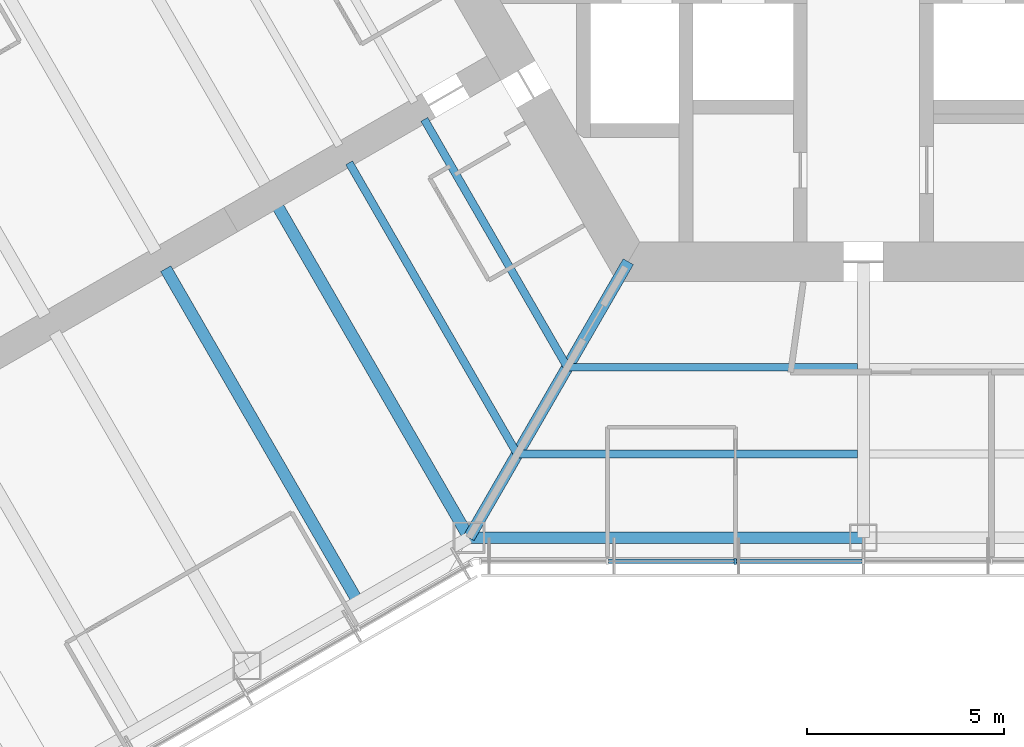
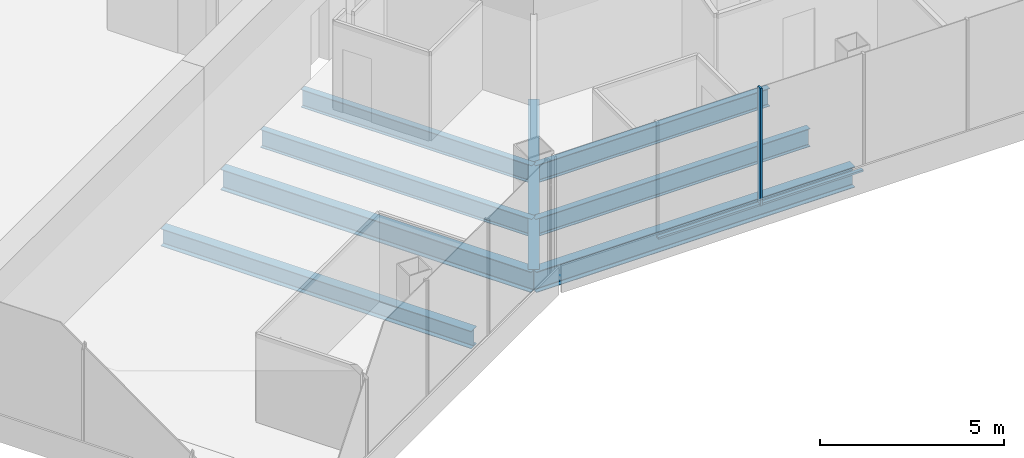
# One storey, part 3 of 18: 8 beams, 3 members, 1 element without a shape of its own.
"""IFC4 building model written with IfcOpenShell, lengths in metres."""

from ifc_helpers import new_model, si_unit, direction, frame, origin, origin_2d, place, context, subcontext, project, spatial, rectangle, i_section, extrude, material, material_profile, profile_set, type_object, element, aggregate, save


model = new_model("IFC4")

# Units and contexts
model_context = context("Model", 3, precision=1e-05, world=origin(), true_north=direction((0.0, 1.0)))
body_context = subcontext(model_context, "Body", "Model", "MODEL_VIEW")
ifc_project = project(units=[si_unit("LENGTHUNIT", "METRE"), si_unit("AREAUNIT", "SQUARE_METRE"), si_unit("VOLUMEUNIT", "CUBIC_METRE"), si_unit("PLANEANGLEUNIT", "RADIAN"), si_unit("MASSUNIT", "GRAM", prefix="KILO")], contexts=[model_context])

# Site, building, storey
site_placement = place(None, origin())
site = spatial("IfcSite", under=ifc_project, at=site_placement, CompositionType="ELEMENT")
building_placement = place(site_placement, origin())
building = spatial("IfcBuilding", under=site, at=building_placement, Name="Kasaneha Research Tower", CompositionType="ELEMENT")
storey_placement = place(building_placement, frame((0.0, 0.0, 176.0)))
storey = spatial("IfcBuildingStorey", under=building, at=storey_placement, Name="L44", CompositionType="ELEMENT", Elevation=176.0)

# Beams
ifc_material_1 = material(Name="Steel SN490B", Category="steel")
ifc_material_profile_1 = material_profile(ifc_material_1, i_section(OverallWidth=0.199951171875, OverallDepth=0.60009765625, WebThickness=0.010986328125, FlangeThickness=0.01708984375, FilletRadius=0.012939453125, at=origin_2d()), Name="H-600x200x11x17")
ifc_profile_set_1 = profile_set([ifc_material_profile_1], Name="Steel SN490B")
beam_type_1 = type_object("IfcBeamType", Name="B1-3 secondary beam H-600x200x11x17", PredefinedType="JOIST", material=ifc_profile_set_1)
beam_1_placement = place(storey_placement, frame((-7.505615234375, -13.0, -0.449951171875), z_axis=(-0.499993340521, 0.866029248602, 0.0), x_axis=(-0.866029248602, -0.499993340521, 0.0)))
element("IfcBeam", 1, at=beam_1_placement, inside=storey, type_object=beam_type_1, Name="Secondary beam RS210R1 L44", PredefinedType="JOIST", context=body_context, shape_type="SweptSolid", body=[
    extrude(i_section(OverallWidth=0.199951171875, OverallDepth=0.60009765625, WebThickness=0.010986328125, FlangeThickness=0.01708984375, FilletRadius=0.012939453125, at=origin_2d()), origin(), (0.0, 0.0, 1.0), 7.25537109375),
])
beam_2_placement = place(storey_placement, frame((-8.775634765625, -15.199951171875, -0.449951171875), z_axis=(-0.500004205306, 0.866022975836, 0.0), x_axis=(-0.866022975836, -0.500004205306, 0.0)))
element("IfcBeam", 2, at=beam_2_placement, inside=storey, type_object=beam_type_1, Name="Secondary beam RS210R2 L44", PredefinedType="JOIST", context=body_context, shape_type="SweptSolid", body=[
    extrude(i_section(OverallWidth=0.199951171875, OverallDepth=0.60009765625, WebThickness=0.010986328125, FlangeThickness=0.01708984375, FilletRadius=0.012939453125, at=origin_2d()), origin(), (0.0, 0.0, 1.0), 8.52587890625),
])
beam_3_placement = place(storey_placement, frame((-7.505615234375, -13.0, -0.449951171875), z_axis=(1.0, 0.0, 0.0), x_axis=(0.0, 1.0, 0.0)))
element("IfcBeam", 3, at=beam_3_placement, inside=storey, type_object=beam_type_1, Name="Secondary beam RS270L1 L44", PredefinedType="JOIST", context=body_context, shape_type="SweptSolid", body=[
    extrude(i_section(OverallWidth=0.199951171875, OverallDepth=0.60009765625, WebThickness=0.010986328125, FlangeThickness=0.01708984375, FilletRadius=0.012939453125, at=origin_2d()), origin(), (0.0, 0.0, 1.0), 7.355712890625),
])
beam_4_placement = place(storey_placement, frame((-8.775634765625, -15.199951171875, -0.449951171875), z_axis=(1.0, 0.0, 0.0), x_axis=(0.0, 1.0, 0.0)))
element("IfcBeam", 4, at=beam_4_placement, inside=storey, type_object=beam_type_1, Name="Secondary beam RS270L2 L44", PredefinedType="JOIST", context=body_context, shape_type="SweptSolid", body=[
    extrude(i_section(OverallWidth=0.199951171875, OverallDepth=0.60009765625, WebThickness=0.010986328125, FlangeThickness=0.01708984375, FilletRadius=0.012939453125, at=origin_2d()), origin(), (0.0, 0.0, 1.0), 8.625732421875),
])
ifc_material_2 = material(Name="Steel SN490B", Category="steel")
ifc_material_profile_2 = material_profile(ifc_material_2, i_section(OverallWidth=0.300048828125, OverallDepth=0.58203125, WebThickness=0.011962890625, FlangeThickness=0.01708984375, FilletRadius=0.012939453125, at=origin_2d()), Name="H-582x300x12x17")
ifc_profile_set_2 = profile_set([ifc_material_profile_2], Name="Steel SN490B")
beam_type_2 = type_object("IfcBeamType", Name="B2-3 secondary beam H-582x300x12x17", PredefinedType="JOIST", material=ifc_profile_set_2)
beam_5_placement = place(storey_placement, frame((-12.814697265625, -18.945556640625, -0.44091796875), z_axis=(-0.499995560238, 0.866027967067, 0.0), x_axis=(-0.866027967067, -0.499995560238, 0.0)))
element("IfcBeam", 5, at=beam_5_placement, inside=storey, type_object=beam_type_2, Name="Secondary beam WBBN1 L44", PredefinedType="JOIST", context=body_context, shape_type="SweptSolid", body=[
    extrude(i_section(OverallWidth=0.300048828125, OverallDepth=0.58203125, WebThickness=0.011962890625, FlangeThickness=0.01708984375, FilletRadius=0.012939453125, at=origin_2d()), origin(), (0.0, 0.0, 1.0), 9.75),
])

# Curtain wall, members
ifc_material_3 = material(Name="Glass and aluminium", Category="aluminium")
curtain_wall_type = type_object("IfcCurtainWallType", Name="Mid-rise office curtain wall", PredefinedType="USERDEFINED", material=ifc_material_3)
curtain_wall_placement = place(storey_placement, origin())
curtain_wall = element("IfcCurtainWall", 6, at=curtain_wall_placement, inside=storey, type_object=curtain_wall_type, Name="CW-O2 L44 run 01a", ObjectType="UNITISED CURTAIN WALL", PredefinedType="USERDEFINED")
ifc_material_4 = material(Name="Aluminium 6063-T6", Category="aluminium")
ifc_material_profile_3 = material_profile(ifc_material_4, rectangle(XDim=0.06005859375, YDim=0.14990234375, at=origin_2d()), Name="CW-O2 mullion 60x150")
ifc_profile_set_3 = profile_set([ifc_material_profile_3], Name="Aluminium 6063-T6")
member_type_1 = type_object("IfcMemberType", Name="CW-O2 mullion", PredefinedType="MULLION", material=ifc_profile_set_3)
member_1_placement = place(storey_placement, frame((-3.246337890625, -17.92041015625, 0.0), z_axis=(0.0, 0.0, 1.0), x_axis=(1.0, 0.0, 0.0)))
member_1 = element("IfcMember", 7, at=member_1_placement, type_object=member_type_1, Name="CW-O2 mullion 3", PredefinedType="MULLION", context=body_context, shape_type="SweptSolid", body=[
    extrude(rectangle(XDim=0.06005859375, YDim=0.14990234375, at=origin_2d()), origin(), (0.0, 0.0, 1.0), 3.89990234375),
])
ifc_material_5 = material(Name="Aluminium 6063-T6", Category="aluminium")
ifc_material_profile_4 = material_profile(ifc_material_5, rectangle(XDim=0.110107421875, YDim=0.06005859375, at=origin_2d()), Name="CW-O2 transom 110x60")
ifc_profile_set_4 = profile_set([ifc_material_profile_4], Name="Aluminium 6063-T6")
member_type_2 = type_object("IfcMemberType", Name="CW-O2 transom", PredefinedType="USERDEFINED", material=ifc_profile_set_4)
member_2_placement = place(storey_placement, frame((-6.462890625, -17.92041015625, 0.030029296875), z_axis=(1.0, 0.0, 0.0), x_axis=(0.0, 1.0, 0.0)))
member_2 = element("IfcMember", 8, at=member_2_placement, type_object=member_type_2, Name="CW-O2 transom 2", ObjectType="TRANSOM", PredefinedType="USERDEFINED", context=body_context, shape_type="SweptSolid", body=[
    extrude(rectangle(XDim=0.110107421875, YDim=0.06005859375, at=origin_2d()), origin(), (0.0, 0.0, 1.0), 3.1865234375),
])
member_3_placement = place(storey_placement, frame((-3.21630859375, -17.92041015625, 0.030029296875), z_axis=(1.0, 0.0, 0.0), x_axis=(0.0, 1.0, 0.0)))
member_3 = element("IfcMember", 9, at=member_3_placement, type_object=member_type_2, Name="CW-O2 transom 3", ObjectType="TRANSOM", PredefinedType="USERDEFINED", context=body_context, shape_type="SweptSolid", body=[
    extrude(rectangle(XDim=0.110107421875, YDim=0.06005859375, at=origin_2d()), origin(), (0.0, 0.0, 1.0), 3.186279296875),
])
aggregate(curtain_wall, [member_1, member_2, member_3])

# Beams
ifc_material_6 = material(Name="Steel SN490B", Category="steel")
ifc_material_profile_5 = material_profile(ifc_material_6, i_section(OverallWidth=0.300048828125, OverallDepth=0.699951171875, WebThickness=0.012939453125, FlangeThickness=0.02392578125, FilletRadius=0.01806640625, at=origin_2d()), Name="H-700x300x13x24")
ifc_profile_set_5 = profile_set([ifc_material_profile_5], Name="Steel SN490B")
beam_type_3 = type_object("IfcBeamType", Name="G1-3 radial girder H-700x300x13x24", PredefinedType="BEAM", material=ifc_profile_set_5)
beam_6_placement = place(storey_placement, frame((-5.961181640625, -10.324951171875, -0.5), z_axis=(-0.49999105496, -0.866030568144, 0.0), x_axis=(0.866030568144, -0.49999105496, 0.0)))
element("IfcBeam", 10, at=beam_6_placement, inside=storey, type_object=beam_type_3, Name="Radial girder RV240 L44", PredefinedType="BEAM", context=body_context, shape_type="SweptSolid", body=[
    extrude(i_section(OverallWidth=0.300048828125, OverallDepth=0.699951171875, WebThickness=0.012939453125, FlangeThickness=0.02392578125, FilletRadius=0.01806640625, at=origin_2d()), origin(), (0.0, 0.0, 1.0), 8.077880859375),
])
ifc_material_7 = material(Name="Steel SN490B", Category="steel")
ifc_material_profile_6 = material_profile(ifc_material_7, i_section(OverallWidth=0.300048828125, OverallDepth=0.69189453125, WebThickness=0.012939453125, FlangeThickness=0.02001953125, FilletRadius=0.01806640625, at=origin_2d()), Name="H-692x300x13x20")
ifc_profile_set_6 = profile_set([ifc_material_profile_6], Name="Steel SN490B")
beam_type_4 = type_object("IfcBeamType", Name="G3-3 plate edge girder H-692x300x13x20", PredefinedType="BEAM", material=ifc_profile_set_6)
beam_7_placement = place(storey_placement, frame((-10.0, -17.320556640625, -0.49609375), z_axis=(-0.499995560238, 0.866027967067, 0.0), x_axis=(-0.866027967067, -0.499995560238, 0.0)))
element("IfcBeam", 11, at=beam_7_placement, inside=storey, type_object=beam_type_4, Name="Plate edge girder PEBN L44", PredefinedType="BEAM", context=body_context, shape_type="SweptSolid", body=[
    extrude(i_section(OverallWidth=0.300048828125, OverallDepth=0.69189453125, WebThickness=0.012939453125, FlangeThickness=0.02001953125, FilletRadius=0.01806640625, at=origin_2d()), origin(), (0.0, 0.0, 1.0), 9.75),
])
ifc_material_8 = material(Name="Steel SN490B", Category="steel")
ifc_material_profile_7 = material_profile(ifc_material_8, i_section(OverallWidth=0.300048828125, OverallDepth=0.69189453125, WebThickness=0.012939453125, FlangeThickness=0.02001953125, FilletRadius=0.01806640625, at=origin_2d()), Name="H-692x300x13x20")
ifc_profile_set_7 = profile_set([ifc_material_profile_7], Name="Steel SN490B")
beam_type_5 = type_object("IfcBeamType", Name="SB1-3 spandrel beam H-692x300x13x20", PredefinedType="SPANDREL", material=ifc_profile_set_7)
beam_8_placement = place(storey_placement, frame((-10.0, -17.320556640625, -0.49609375), z_axis=(1.0, 0.0, 0.0), x_axis=(0.0, 1.0, 0.0)))
element("IfcBeam", 12, at=beam_8_placement, inside=storey, type_object=beam_type_5, Name="Spandrel beam SR270L L44", PredefinedType="SPANDREL", context=body_context, shape_type="SweptSolid", body=[
    extrude(i_section(OverallWidth=0.300048828125, OverallDepth=0.69189453125, WebThickness=0.012939453125, FlangeThickness=0.02001953125, FilletRadius=0.01806640625, at=origin_2d()), origin(), (0.0, 0.0, 1.0), 10.0),
])

save(model, "model.ifc")
